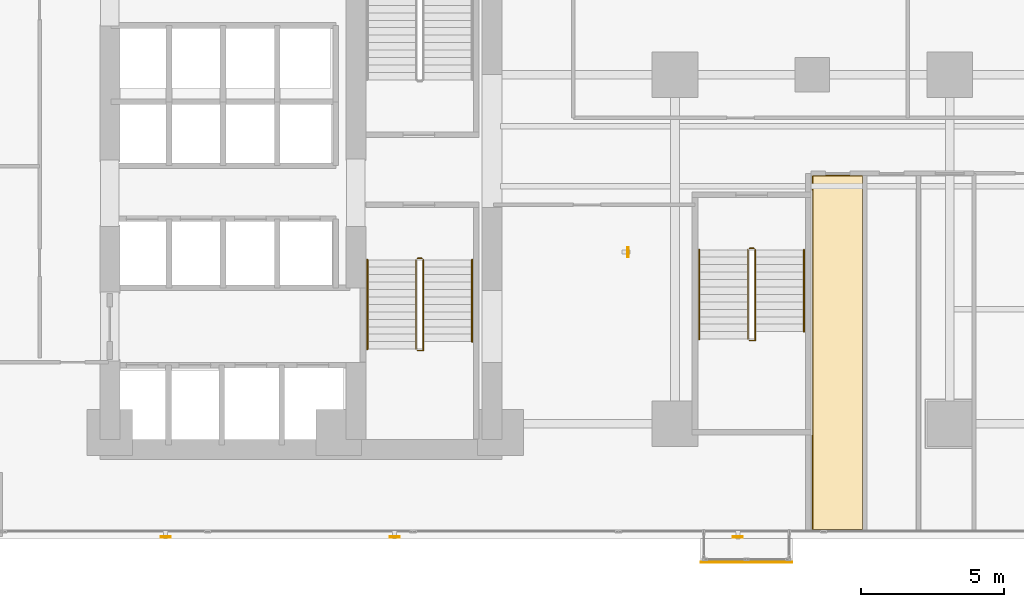
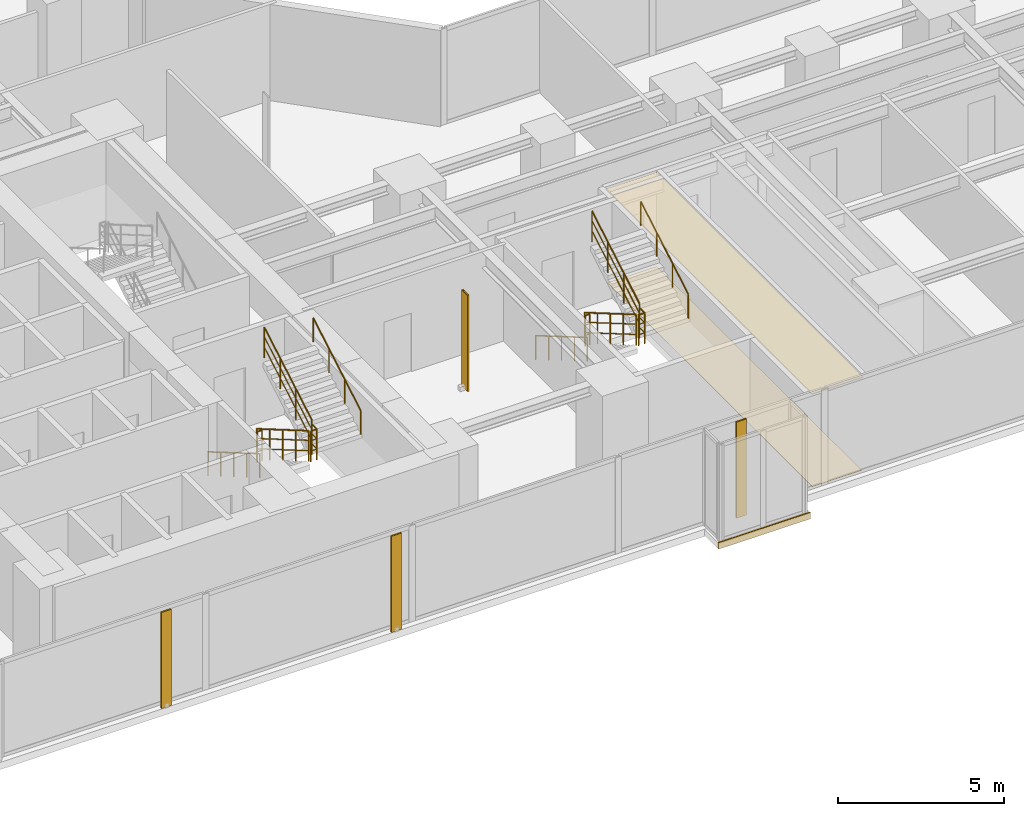
# One storey, part 25 of 27: 12 railings, 4 shading devices, 3 coverings.
"""IFC4 building model written with IfcOpenShell, lengths in metres."""

import ifcopenshell
import ifcopenshell.guid

model = None  # the IFC model being written
_history = None  # IfcOwnerHistory: only IFC2X3 demands one
_inside = {}  # id of a spatial element -> (the spatial element, [elements in it])
_under = {}  # id of a project, library or spatial element -> (it, [spatial elements below it])
_declared = {}  # id of a project -> (the project, [libraries it declares])
_typed = {}  # id of a type object -> (the type object, [elements of that type])
_made_of = {}  # id of a material, layer set ... -> (it, [elements and type objects made of it])


def new_model(schema):
    """Start an empty IFC model of exactly this schema.

    Asked for "IFC4X3", IfcOpenShell would pick the latest addendum, in which some entities
    have other attributes; the version numbers below select the first issue.
    IFC2X3 requires an IfcOwnerHistory on every rooted entity: one is made here for all.
    """
    global model, _history
    if schema == "IFC4X3":
        model = ifcopenshell.file(schema_version=(4, 3, 0, 0))
    else:
        model = ifcopenshell.file(schema=schema)
    _inside.clear()
    _under.clear()
    _declared.clear()
    _typed.clear()
    _made_of.clear()
    _history = None
    if model.schema == "IFC2X3":
        org = make("IfcOrganization", Name="unknown")
        user = make(
            "IfcPersonAndOrganization",
            ThePerson=make("IfcPerson", FamilyName="unknown"),
            TheOrganization=org,
        )
        app = make(
            "IfcApplication",
            ApplicationDeveloper=org,
            Version="unknown",
            ApplicationFullName="unknown",
            ApplicationIdentifier="unknown",
        )
        _history = make(
            "IfcOwnerHistory",
            OwningUser=user,
            OwningApplication=app,
            ChangeAction="ADDED",
            CreationDate=0,
        )
    return model


def make(cls, **values):
    """One entity of the class cls with the attributes given. An attribute that is None is left unset."""
    return model.create_entity(
        cls, **{name: value for name, value in values.items() if value is not None}
    )


def rooted(cls, **values):
    """An entity with a GlobalId (a new one), such as an element, a storey or a relation."""
    return make(cls, GlobalId=ifcopenshell.guid.new(), OwnerHistory=_history, **values)


def si_unit(unit_type, name, prefix=None):
    """IfcSIUnit, for example si_unit("LENGTHUNIT", "METRE", prefix="MILLI")."""
    return make("IfcSIUnit", UnitType=unit_type, Prefix=prefix, Name=name)


def assignment(units):
    """IfcUnitAssignment: the units of a project."""
    return None if units is None else make("IfcUnitAssignment", Units=units)


def point(xyz):
    """IfcCartesianPoint."""
    return None if xyz is None else make("IfcCartesianPoint", Coordinates=xyz)


def direction(xyz):
    """IfcDirection."""
    return None if xyz is None else make("IfcDirection", DirectionRatios=xyz)


def frame(location, z_axis=None, x_axis=None):
    """IfcAxis2Placement3D, a coordinate frame: its origin and axes. An axis left out is left unset."""
    return make(
        "IfcAxis2Placement3D",
        Location=point(location),
        Axis=direction(z_axis),
        RefDirection=direction(x_axis),
    )


def frame_2d(location, x_axis=None):
    """IfcAxis2Placement2D, a coordinate frame in the plane: its origin and x axis."""
    return make(
        "IfcAxis2Placement2D", Location=point(location), RefDirection=direction(x_axis)
    )


def origin():
    """The frame at (0, 0, 0) with its axes left unset."""
    return frame((0.0, 0.0, 0.0))


def origin_2d():
    """The frame at (0, 0) in the plane with its x axis left unset."""
    return frame_2d((0.0, 0.0))


def place(relative_to, where):
    """IfcLocalPlacement: puts the frame where relative to a parent placement (None: the world)."""
    return make(
        "IfcLocalPlacement", PlacementRelTo=relative_to, RelativePlacement=where
    )


def context(
    kind, dimensions, precision=None, world=None, true_north=None, identifier=None
):
    """IfcGeometricRepresentationContext, for example the 3D "Model" context."""
    return make(
        "IfcGeometricRepresentationContext",
        ContextIdentifier=identifier,
        ContextType=kind,
        CoordinateSpaceDimension=dimensions,
        Precision=precision,
        WorldCoordinateSystem=world,
        TrueNorth=true_north,
    )


def subcontext(parent, identifier, kind, view, scale=None):
    """IfcGeometricRepresentationSubContext, for example "Body" below "Model"."""
    return make(
        "IfcGeometricRepresentationSubContext",
        ContextIdentifier=identifier,
        ContextType=kind,
        ParentContext=parent,
        TargetScale=scale,
        TargetView=view,
    )


def project(units=None, contexts=None):
    """IfcProject with its units and contexts."""
    return rooted(
        "IfcProject",
        Name="project",
        RepresentationContexts=contexts,
        UnitsInContext=assignment(units),
    )


def spatial(cls, under=None, at=None, **own):
    """A site, building, storey or space (cls), placed at a placement, below another one or the project."""
    s = rooted(cls, ObjectPlacement=at, **own)
    if under is not None:
        _under.setdefault(under.id(), (under, []))[1].append(s)
    return s


def polyline(points):
    """IfcPolyline through the points."""
    return make("IfcPolyline", Points=[point(p) for p in points])


def profile(cls, at=None, kind="AREA", **sizes):
    """A parametric profile (cls). Its sizes go by their IFC names, for example OverallWidth=200.0."""
    return make(cls, ProfileType=kind, Position=at, **sizes)


def rectangle(**sizes):
    """IfcRectangleProfileDef."""
    return profile("IfcRectangleProfileDef", **sizes)


def hollow_rectangle(**sizes):
    """IfcRectangleHollowProfileDef."""
    return profile("IfcRectangleHollowProfileDef", **sizes)


def circle(**sizes):
    """IfcCircleProfileDef."""
    return profile("IfcCircleProfileDef", **sizes)


def outline(outer, holes=None, kind="AREA"):
    """IfcArbitraryClosedProfileDef: a profile drawn as a closed curve; with holes, ...WithVoids."""
    if holes is None:
        return make("IfcArbitraryClosedProfileDef", ProfileType=kind, OuterCurve=outer)
    return make(
        "IfcArbitraryProfileDefWithVoids",
        ProfileType=kind,
        OuterCurve=outer,
        InnerCurves=holes,
    )


def extrude(swept, where, along, depth):
    """IfcExtrudedAreaSolid: the profile swept, set in the frame where, extruded along a direction by depth."""
    return make(
        "IfcExtrudedAreaSolid",
        SweptArea=swept,
        Position=where,
        ExtrudedDirection=direction(along),
        Depth=depth,
    )


def shape(context_of_items, identifier, shape_type, items):
    """IfcShapeRepresentation: the items that make up one representation, for example the "Body"."""
    return make(
        "IfcShapeRepresentation",
        ContextOfItems=context_of_items,
        RepresentationIdentifier=identifier,
        RepresentationType=shape_type,
        Items=items,
    )


def material(Name=None, Category=None):
    """IfcMaterial."""
    return make("IfcMaterial", Name=Name, Category=Category)


def layer(
    of_material, thickness, ventilated=None, Name=None, Category=None, Priority=None
):
    """IfcMaterialLayer: one layer of a wall or slab, of a material (None: an air gap)."""
    return make(
        "IfcMaterialLayer",
        Material=of_material,
        LayerThickness=thickness,
        IsVentilated=ventilated,
        Name=Name,
        Category=Category,
        Priority=Priority,
    )


def layer_set(layers, Name=None):
    """IfcMaterialLayerSet."""
    return make("IfcMaterialLayerSet", MaterialLayers=layers, LayerSetName=Name)


def material_profile(
    of_material, cross_section, Name=None, Category=None, Priority=None
):
    """IfcMaterialProfile: a cross section and its material."""
    return make(
        "IfcMaterialProfile",
        Name=Name,
        Material=of_material,
        Profile=cross_section,
        Priority=Priority,
        Category=Category,
    )


def profile_set(profiles, Name=None, composite=None):
    """IfcMaterialProfileSet."""
    return make(
        "IfcMaterialProfileSet",
        Name=Name,
        MaterialProfiles=profiles,
        CompositeProfile=composite,
    )


def made_of(thing, what):
    """Note that an element or type object is made of a material, layer set ...; save() writes the relation."""
    if what is not None:
        _made_of.setdefault(what.id(), (what, []))[1].append(thing)
    return thing


def type_object(cls, material=None, **own):
    """A type object (cls), such as IfcWallType, which elements share."""
    return made_of(rooted(cls, **own), material)


def element(
    cls,
    number,
    at=None,
    inside=None,
    cuts=None,
    type_object=None,
    material=None,
    context=None,
    identifier="Body",
    shape_type=None,
    held_by="IfcProductDefinitionShape",
    body=None,
    shapes=None,
    **own,
):
    """One element of the class cls, such as IfcWall. Its Tag is "e" and its number.

    at: its placement. inside: the storey or other place that contains it. cuts: it is an
    opening in that element (IfcRelVoidsElement). A single representation is given by context,
    identifier, shape_type and body (its items); several are given by shapes. held_by: the class
    of the entity that holds the representations. save() writes the other relations.
    """
    e = rooted(cls, Tag="e%d" % number, ObjectPlacement=at, **own)
    if body is not None:
        shapes = [shape(context, identifier, shape_type, body)]
    if shapes is not None:
        e.Representation = make(held_by, Representations=shapes)
    if inside is not None:
        _inside.setdefault(inside.id(), (inside, []))[1].append(e)
    if cuts is not None:
        rooted(
            "IfcRelVoidsElement", RelatingBuildingElement=cuts, RelatedOpeningElement=e
        )
    if type_object is not None:
        _typed.setdefault(type_object.id(), (type_object, []))[1].append(e)
    return made_of(e, material)


def aggregate(whole, parts):
    """IfcRelAggregates: a whole, such as a stair, and the parts it consists of."""
    return rooted("IfcRelAggregates", RelatingObject=whole, RelatedObjects=parts)


def save(model, path):
    """Write the relations noted so far, then the file.

    IfcRelAggregates (storeys below a building ...), IfcRelContainedInSpatialStructure (elements
    in a storey), IfcRelDefinesByType, IfcRelAssociatesMaterial and IfcRelDeclares: one each for
    every whole, place, type object, material and project.
    """
    for whole, parts in _under.values():
        aggregate(whole, parts)
    for where, things in _inside.values():
        rooted(
            "IfcRelContainedInSpatialStructure",
            RelatedElements=things,
            RelatingStructure=where,
        )
    for kind, things in _typed.values():
        rooted("IfcRelDefinesByType", RelatedObjects=things, RelatingType=kind)
    for what, things in _made_of.values():
        rooted("IfcRelAssociatesMaterial", RelatedObjects=things, RelatingMaterial=what)
    for by, libraries in _declared.values():
        rooted("IfcRelDeclares", RelatingContext=by, RelatedDefinitions=libraries)
    model.write(path)


model = new_model("IFC4")

# Units and contexts
model_context = context("Model", 3, precision=1e-05, world=origin(), true_north=direction((0.0, 1.0)))
body_context = subcontext(model_context, "Body", "Model", "MODEL_VIEW")
ifc_project = project(units=[si_unit("LENGTHUNIT", "METRE"), si_unit("AREAUNIT", "SQUARE_METRE"), si_unit("VOLUMEUNIT", "CUBIC_METRE"), si_unit("PLANEANGLEUNIT", "RADIAN"), si_unit("MASSUNIT", "GRAM", prefix="KILO")], contexts=[model_context])

# Site, building, storey
site_placement = place(None, origin())
site = spatial("IfcSite", under=ifc_project, at=site_placement, CompositionType="ELEMENT")
building_placement = place(site_placement, origin())
building = spatial("IfcBuilding", under=site, at=building_placement, Name="Kolvaren Waterfront Exchange", CompositionType="ELEMENT")
storey_placement = place(building_placement, frame((0.0, 0.0, 63.800048828125)))
storey = spatial("IfcBuildingStorey", under=building, at=storey_placement, Name="L16", CompositionType="ELEMENT", Elevation=63.800048828125)

# Coverings
ifc_material_1 = material(Name="Mineral fibre acoustic ceiling tile")
ifc_layer_1 = layer(ifc_material_1, 0.02490234375, Name="Mineral fibre acoustic ceiling tile")
ifc_layer_set_1 = layer_set([ifc_layer_1], Name="Mineral fibre acoustic ceiling tile")
covering_type_1 = type_object("IfcCoveringType", Name="ARC-CEIL-ACOUSTIC-25", PredefinedType="CEILING", material=ifc_layer_set_1)
covering_1_placement = place(storey_placement, frame((0.0, 0.0, 3.425048828125)))
element("IfcCovering", 1, at=covering_1_placement, inside=storey, type_object=covering_type_1, Name="L16 acoustic suspended ceiling 1", PredefinedType="CEILING", context=body_context, shape_type="SweptSolid", body=[
    extrude(outline(polyline([(33.784912109375, 1.465087890625), (33.784912109375, 13.89501953125), (31.9951171875, 13.89501953125), (31.9951171875, 13.35009765625), (32.0, 13.35009765625), (32.0, 4.800048828125), (31.9951171875, 4.800048828125), (31.9951171875, 1.465087890625), (33.784912109375, 1.465087890625)])), origin(), (0.0, 0.0, 1.0), 0.02490234375),
])
ifc_material_2 = material(Name="Anodised bronze fascia aluminium", Category="aluminium")
ifc_layer_2 = layer(ifc_material_2, 0.034912109375, Name="Anodised bronze fascia aluminium")
ifc_layer_set_2 = layer_set([ifc_layer_2], Name="Anodised bronze fascia aluminium")
covering_type_2 = type_object("IfcCoveringType", Name="ARC-CLAD-BRONZE-35", PredefinedType="CLADDING", material=ifc_layer_set_2)
covering_2_placement = place(storey_placement, frame((29.699951171875, 0.3701171875, -0.22021484375), z_axis=(0.0, 0.0, 1.0), x_axis=(1.0, 0.0, 0.0)))
element("IfcCovering", 2, at=covering_2_placement, inside=storey, type_object=covering_type_2, Name="L16 ribbed anodised bronze bay-box fascia", PredefinedType="CLADDING", context=body_context, shape_type="SweptSolid", body=[
    extrude(rectangle(XDim=3.199951171875, YDim=0.034912109375, at=origin_2d()), origin(), (0.0, 0.0, 1.0), 0.239990234375),
])

# Shading devices
ifc_material_3 = material(Name="Anodised bronze aluminium 6063-T6", Category="aluminium")
ifc_material_profile = material_profile(ifc_material_3, hollow_rectangle(XDim=0.06005859375, YDim=0.35009765625, WallThickness=0.0048828125, at=origin_2d()), Name="BRZ-FIN-350x60x5")
ifc_profile_set = profile_set([ifc_material_profile], Name="Anodised bronze aluminium 6063-T6")
shading_device_type = type_object("IfcShadingDeviceType", Name="ARC-FIN-350", PredefinedType="USERDEFINED", material=ifc_profile_set)
for number, where, z_axis, x_axis, name in (
    (3, (9.39990234375, 1.239990234375, 0.0), (0.0, 0.0, 1.0), (0.0, -1.0, 0.0), "L16 anodised bronze solar shading fin FIN-L16-S1"),
    (4, (17.39990234375, 1.239990234375, 0.0), (0.0, 0.0, 1.0), (0.0, -1.0, 0.0), "L16 anodised bronze solar shading fin FIN-L16-S2"),
    (5, (29.39990234375, 1.239990234375, 0.0), (0.0, 0.0, 1.0), (0.0, -1.0, 0.0), "L16 anodised bronze solar shading fin FIN-L16-S3"),
    (6, (25.56005859375, 11.199951171875, 0.0), (0.0, 0.0, 1.0), (1.0, 0.0, 0.0), "L16 anodised bronze solar shading fin FIN-L16-E1"),
):
    element("IfcShadingDevice", number, at=place(storey_placement, frame(where, z_axis=z_axis, x_axis=x_axis)), inside=storey, type_object=shading_device_type, Name=name, ObjectType="SOLAR FIN", PredefinedType="USERDEFINED", context=body_context, shape_type="SweptSolid", body=[
        extrude(hollow_rectangle(XDim=0.06005859375, YDim=0.35009765625, WallThickness=0.0048828125, at=origin_2d()), origin(), (0.0, 0.0, 1.0), 3.5400390625),
    ])

# Covering
ifc_material_4 = material(Name="Slip-resistant porcelain tile")
ifc_layer_3 = layer(ifc_material_4, 0.014892578125, Name="Slip-resistant porcelain tile")
ifc_layer_set_3 = layer_set([ifc_layer_3], Name="Slip-resistant porcelain tile")
covering_type_3 = type_object("IfcCoveringType", Name="ARC-FLR-PORC-15", PredefinedType="FLOORING", material=ifc_layer_set_3)
covering_3_placement = place(storey_placement, origin())
element("IfcCovering", 7, at=covering_3_placement, inside=storey, type_object=covering_type_3, Name="L16 floor finish 1", PredefinedType="FLOORING", context=body_context, shape_type="SweptSolid", body=[
    extrude(outline(polyline([(32.030029296875, 13.860107421875), (32.030029296875, 1.5), (33.75, 1.5), (33.75, 13.860107421875), (32.030029296875, 13.860107421875)])), origin(), (0.0, 0.0, 1.0), 0.014892578125),
])

# Railings
ifc_material_5 = material(Name="Stainless steel 316", Category="steel")
railing_type_1 = type_object("IfcRailingType", Name="ARC-GUARD-STAIR", PredefinedType="GUARDRAIL", material=ifc_material_5)
railing_1_placement = place(storey_placement, frame((18.14990234375, 10.929931640625, 0.15185546875)))
element("IfcRailing", 8, at=railing_1_placement, inside=storey, type_object=railing_type_1, Name="L16 ST1 stair guard 1", PredefinedType="GUARDRAIL", context=body_context, shape_type="SweptSolid", body=[
    extrude(circle(Radius=0.02392578125, at=origin_2d()), frame((0.0, 0.0, 1.1259765625), z_axis=(0.0, -0.86329090724, 0.504706656858), x_axis=(1.0, 0.0, 0.0)), (0.0, 0.0, 1.0), 3.614013671875),
    extrude(circle(Radius=0.01611328125, at=origin_2d()), frame((0.0, 0.0, 0.390869140625), z_axis=(0.0, -0.86329090724, 0.504706656858), x_axis=(1.0, 0.0, 0.0)), (0.0, 0.0, 1.0), 3.614013671875),
    extrude(circle(Radius=0.01611328125, at=origin_2d()), frame((0.0, 0.0, 0.7705078125), z_axis=(0.0, -0.86329090724, 0.504706656858), x_axis=(1.0, 0.0, 0.0)), (0.0, 0.0, 1.0), 3.614013671875),
    extrude(circle(Radius=0.02099609375, at=origin_2d()), origin(), (0.0, 0.0, 1.0), 1.101806640625),
    extrude(circle(Radius=0.02099609375, at=origin_2d()), frame((0.0, -0.780029296875, 0.4560546875)), (0.0, 0.0, 1.0), 1.101806640625),
    extrude(circle(Radius=0.02099609375, at=origin_2d()), frame((0.0, -1.56005859375, 0.912109375)), (0.0, 0.0, 1.0), 1.101806640625),
    extrude(circle(Radius=0.02099609375, at=origin_2d()), frame((0.0, -2.33984375, 1.367919921875)), (0.0, 0.0, 1.0), 1.101806640625),
    extrude(circle(Radius=0.02099609375, at=origin_2d()), frame((0.0, -3.119873046875, 1.823974609375)), (0.0, 0.0, 1.0), 1.101806640625),
])
railing_2_placement = place(storey_placement, frame((18.199951171875, 7.760009765625, 1.975830078125)))
element("IfcRailing", 9, at=railing_2_placement, inside=storey, type_object=railing_type_1, Name="L16 ST1 stair guard 2", PredefinedType="GUARDRAIL", context=body_context, shape_type="SweptSolid", body=[
    extrude(circle(Radius=0.02392578125, at=origin_2d()), frame((0.0, 0.0, 1.1259765625), z_axis=(1.0, 0.0, 0.0), x_axis=(0.0, 1.0, 0.0)), (0.0, 0.0, 1.0), 0.2099609375),
    extrude(circle(Radius=0.01611328125, at=origin_2d()), frame((0.0, 0.0, 0.390869140625), z_axis=(1.0, 0.0, 0.0), x_axis=(0.0, 1.0, 0.0)), (0.0, 0.0, 1.0), 0.2099609375),
    extrude(circle(Radius=0.01611328125, at=origin_2d()), frame((0.0, 0.0, 0.7705078125), z_axis=(1.0, 0.0, 0.0), x_axis=(0.0, 1.0, 0.0)), (0.0, 0.0, 1.0), 0.2099609375),
    extrude(circle(Radius=0.02392578125, at=origin_2d()), frame((0.2099609375, 0.0, 1.1259765625), z_axis=(0.0, 1.0, 0.0), x_axis=(-1.0, 0.0, 0.0)), (0.0, 0.0, 1.0), 0.31005859375),
    extrude(circle(Radius=0.01611328125, at=origin_2d()), frame((0.2099609375, 0.0, 0.390869140625), z_axis=(0.0, 1.0, 0.0), x_axis=(-1.0, 0.0, 0.0)), (0.0, 0.0, 1.0), 0.31005859375),
    extrude(circle(Radius=0.01611328125, at=origin_2d()), frame((0.2099609375, 0.0, 0.7705078125), z_axis=(0.0, 1.0, 0.0), x_axis=(-1.0, 0.0, 0.0)), (0.0, 0.0, 1.0), 0.31005859375),
    extrude(circle(Radius=0.02099609375, at=origin_2d()), origin(), (0.0, 0.0, 1.0), 1.101806640625),
    extrude(circle(Radius=0.02099609375, at=origin_2d()), frame((0.2099609375, 0.0, 0.0)), (0.0, 0.0, 1.0), 1.101806640625),
    extrude(circle(Radius=0.02099609375, at=origin_2d()), frame((0.2099609375, 0.31005859375, 0.0)), (0.0, 0.0, 1.0), 1.101806640625),
])
railing_3_placement = place(storey_placement, frame((18.409912109375, 8.070068359375, 2.1279296875)))
element("IfcRailing", 10, at=railing_3_placement, inside=storey, type_object=railing_type_1, Name="L16 ST1 stair guard 3", PredefinedType="GUARDRAIL", context=body_context, shape_type="SweptSolid", body=[
    extrude(circle(Radius=0.02392578125, at=origin_2d()), frame((0.0, 0.0, 1.1259765625), z_axis=(0.0, 0.863270611444, 0.50474137082), x_axis=(-1.0, 0.0, 0.0)), (0.0, 0.0, 1.0), 3.312744140625),
    extrude(circle(Radius=0.01611328125, at=origin_2d()), frame((0.0, 0.0, 0.390869140625), z_axis=(0.0, 0.863270611444, 0.50474137082), x_axis=(-1.0, 0.0, 0.0)), (0.0, 0.0, 1.0), 3.312744140625),
    extrude(circle(Radius=0.01611328125, at=origin_2d()), frame((0.0, 0.0, 0.7705078125), z_axis=(0.0, 0.863270611444, 0.50474137082), x_axis=(-1.0, 0.0, 0.0)), (0.0, 0.0, 1.0), 3.312744140625),
    extrude(circle(Radius=0.02099609375, at=origin_2d()), origin(), (0.0, 0.0, 1.0), 1.101806640625),
    extrude(circle(Radius=0.02099609375, at=origin_2d()), frame((0.0, 0.953369140625, 0.557373046875)), (0.0, 0.0, 1.0), 1.101806640625),
    extrude(circle(Radius=0.02099609375, at=origin_2d()), frame((0.0, 1.906494140625, 1.11474609375)), (0.0, 0.0, 1.0), 1.101806640625),
    extrude(circle(Radius=0.02099609375, at=origin_2d()), frame((0.0, 2.85986328125, 1.672119140625)), (0.0, 0.0, 1.0), 1.101806640625),
])
railing_4_placement = place(storey_placement, frame((18.199951171875, 10.97998046875, 0.0)))
element("IfcRailing", 11, at=railing_4_placement, inside=storey, type_object=railing_type_1, Name="L16 ST1 stair guard 4", PredefinedType="GUARDRAIL", context=body_context, shape_type="SweptSolid", body=[
    extrude(circle(Radius=0.02392578125, at=origin_2d()), frame((0.0, 0.0, 1.1259765625), z_axis=(1.0, 0.0, 0.0), x_axis=(0.0, 1.0, 0.0)), (0.0, 0.0, 1.0), 0.16015625),
    extrude(circle(Radius=0.01611328125, at=origin_2d()), frame((0.0, 0.0, 0.390869140625), z_axis=(1.0, 0.0, 0.0), x_axis=(0.0, 1.0, 0.0)), (0.0, 0.0, 1.0), 0.16015625),
    extrude(circle(Radius=0.01611328125, at=origin_2d()), frame((0.0, 0.0, 0.7705078125), z_axis=(1.0, 0.0, 0.0), x_axis=(0.0, 1.0, 0.0)), (0.0, 0.0, 1.0), 0.16015625),
    extrude(circle(Radius=0.02099609375, at=origin_2d()), origin(), (0.0, 0.0, 1.0), 1.101806640625),
    extrude(circle(Radius=0.02099609375, at=origin_2d()), frame((0.16015625, 0.0, 0.0)), (0.0, 0.0, 1.0), 1.101806640625),
])
railing_5_placement = place(storey_placement, frame((29.75, 11.280029296875, 0.15185546875)))
element("IfcRailing", 12, at=railing_5_placement, inside=storey, type_object=railing_type_1, Name="L16 ST3 stair guard 1", PredefinedType="GUARDRAIL", context=body_context, shape_type="SweptSolid", body=[
    extrude(circle(Radius=0.02392578125, at=origin_2d()), frame((0.0, 0.0, 1.1259765625), z_axis=(0.0, -0.86330811405, 0.504677223793), x_axis=(1.0, 0.0, 0.0)), (0.0, 0.0, 1.0), 3.6142578125),
    extrude(circle(Radius=0.01611328125, at=origin_2d()), frame((0.0, 0.0, 0.390869140625), z_axis=(0.0, -0.86330811405, 0.504677223793), x_axis=(1.0, 0.0, 0.0)), (0.0, 0.0, 1.0), 3.6142578125),
    extrude(circle(Radius=0.01611328125, at=origin_2d()), frame((0.0, 0.0, 0.7705078125), z_axis=(0.0, -0.86330811405, 0.504677223793), x_axis=(1.0, 0.0, 0.0)), (0.0, 0.0, 1.0), 3.6142578125),
    extrude(circle(Radius=0.02099609375, at=origin_2d()), origin(), (0.0, 0.0, 1.0), 1.101806640625),
    extrude(circle(Radius=0.02099609375, at=origin_2d()), frame((0.0, -0.780029296875, 0.4560546875)), (0.0, 0.0, 1.0), 1.101806640625),
    extrude(circle(Radius=0.02099609375, at=origin_2d()), frame((0.0, -1.56005859375, 0.912109375)), (0.0, 0.0, 1.0), 1.101806640625),
    extrude(circle(Radius=0.02099609375, at=origin_2d()), frame((0.0, -2.340087890625, 1.367919921875)), (0.0, 0.0, 1.0), 1.101806640625),
    extrude(circle(Radius=0.02099609375, at=origin_2d()), frame((0.0, -3.1201171875, 1.823974609375)), (0.0, 0.0, 1.0), 1.101806640625),
])
railing_6_placement = place(storey_placement, frame((29.800048828125, 8.110107421875, 1.975830078125)))
element("IfcRailing", 13, at=railing_6_placement, inside=storey, type_object=railing_type_1, Name="L16 ST3 stair guard 2", PredefinedType="GUARDRAIL", context=body_context, shape_type="SweptSolid", body=[
    extrude(circle(Radius=0.02392578125, at=origin_2d()), frame((0.0, 0.0, 1.1259765625), z_axis=(1.0, 0.0, 0.0), x_axis=(0.0, 1.0, 0.0)), (0.0, 0.0, 1.0), 0.2099609375),
    extrude(circle(Radius=0.01611328125, at=origin_2d()), frame((0.0, 0.0, 0.390869140625), z_axis=(1.0, 0.0, 0.0), x_axis=(0.0, 1.0, 0.0)), (0.0, 0.0, 1.0), 0.2099609375),
    extrude(circle(Radius=0.01611328125, at=origin_2d()), frame((0.0, 0.0, 0.7705078125), z_axis=(1.0, 0.0, 0.0), x_axis=(0.0, 1.0, 0.0)), (0.0, 0.0, 1.0), 0.2099609375),
    extrude(circle(Radius=0.02392578125, at=origin_2d()), frame((0.2099609375, 0.0, 1.1259765625), z_axis=(0.0, 1.0, 0.0), x_axis=(-1.0, 0.0, 0.0)), (0.0, 0.0, 1.0), 0.309814453125),
    extrude(circle(Radius=0.01611328125, at=origin_2d()), frame((0.2099609375, 0.0, 0.390869140625), z_axis=(0.0, 1.0, 0.0), x_axis=(-1.0, 0.0, 0.0)), (0.0, 0.0, 1.0), 0.309814453125),
    extrude(circle(Radius=0.01611328125, at=origin_2d()), frame((0.2099609375, 0.0, 0.7705078125), z_axis=(0.0, 1.0, 0.0), x_axis=(-1.0, 0.0, 0.0)), (0.0, 0.0, 1.0), 0.309814453125),
    extrude(circle(Radius=0.02099609375, at=origin_2d()), origin(), (0.0, 0.0, 1.0), 1.101806640625),
    extrude(circle(Radius=0.02099609375, at=origin_2d()), frame((0.2099609375, 0.0, 0.0)), (0.0, 0.0, 1.0), 1.101806640625),
    extrude(circle(Radius=0.02099609375, at=origin_2d()), frame((0.2099609375, 0.309814453125, 0.0)), (0.0, 0.0, 1.0), 1.101806640625),
])
railing_7_placement = place(storey_placement, frame((30.010009765625, 8.419921875, 2.1279296875)))
element("IfcRailing", 14, at=railing_7_placement, inside=storey, type_object=railing_type_1, Name="L16 ST3 stair guard 3", PredefinedType="GUARDRAIL", context=body_context, shape_type="SweptSolid", body=[
    extrude(circle(Radius=0.02392578125, at=origin_2d()), frame((0.0, 0.0, 1.1259765625), z_axis=(0.0, 0.863289384635, 0.504709261235), x_axis=(-1.0, 0.0, 0.0)), (0.0, 0.0, 1.0), 3.31298828125),
    extrude(circle(Radius=0.01611328125, at=origin_2d()), frame((0.0, 0.0, 0.390869140625), z_axis=(0.0, 0.863289384635, 0.504709261235), x_axis=(-1.0, 0.0, 0.0)), (0.0, 0.0, 1.0), 3.31298828125),
    extrude(circle(Radius=0.01611328125, at=origin_2d()), frame((0.0, 0.0, 0.7705078125), z_axis=(0.0, 0.863289384635, 0.504709261235), x_axis=(-1.0, 0.0, 0.0)), (0.0, 0.0, 1.0), 3.31298828125),
    extrude(circle(Radius=0.02099609375, at=origin_2d()), origin(), (0.0, 0.0, 1.0), 1.101806640625),
    extrude(circle(Radius=0.02099609375, at=origin_2d()), frame((0.0, 0.953369140625, 0.557373046875)), (0.0, 0.0, 1.0), 1.101806640625),
    extrude(circle(Radius=0.02099609375, at=origin_2d()), frame((0.0, 1.90673828125, 1.11474609375)), (0.0, 0.0, 1.0), 1.101806640625),
    extrude(circle(Radius=0.02099609375, at=origin_2d()), frame((0.0, 2.860107421875, 1.672119140625)), (0.0, 0.0, 1.0), 1.101806640625),
])
railing_8_placement = place(storey_placement, frame((29.800048828125, 11.330078125, 0.0)))
element("IfcRailing", 15, at=railing_8_placement, inside=storey, type_object=railing_type_1, Name="L16 ST3 stair guard 4", PredefinedType="GUARDRAIL", context=body_context, shape_type="SweptSolid", body=[
    extrude(circle(Radius=0.02392578125, at=origin_2d()), frame((0.0, 0.0, 1.1259765625), z_axis=(1.0, 0.0, 0.0), x_axis=(0.0, 1.0, 0.0)), (0.0, 0.0, 1.0), 0.159912109375),
    extrude(circle(Radius=0.01611328125, at=origin_2d()), frame((0.0, 0.0, 0.390869140625), z_axis=(1.0, 0.0, 0.0), x_axis=(0.0, 1.0, 0.0)), (0.0, 0.0, 1.0), 0.159912109375),
    extrude(circle(Radius=0.01611328125, at=origin_2d()), frame((0.0, 0.0, 0.7705078125), z_axis=(1.0, 0.0, 0.0), x_axis=(0.0, 1.0, 0.0)), (0.0, 0.0, 1.0), 0.159912109375),
    extrude(circle(Radius=0.02099609375, at=origin_2d()), origin(), (0.0, 0.0, 1.0), 1.101806640625),
    extrude(circle(Radius=0.02099609375, at=origin_2d()), frame((0.159912109375, 0.0, 0.0)), (0.0, 0.0, 1.0), 1.101806640625),
])
railing_type_2 = type_object("IfcRailingType", Name="ARC-HANDRAIL-900", PredefinedType="HANDRAIL", material=ifc_material_5)
railing_9_placement = place(storey_placement, frame((16.449951171875, 10.929931640625, 0.15185546875)))
element("IfcRailing", 16, at=railing_9_placement, inside=storey, type_object=railing_type_2, Name="L16 ST1 stair handrail 1", PredefinedType="HANDRAIL", context=body_context, shape_type="SweptSolid", body=[
    extrude(circle(Radius=0.02392578125, at=origin_2d()), frame((0.0, 0.0, 0.8759765625), z_axis=(0.0, -0.86329090724, 0.504706656858), x_axis=(1.0, 0.0, 0.0)), (0.0, 0.0, 1.0), 3.614013671875),
    extrude(circle(Radius=0.02099609375, at=origin_2d()), origin(), (0.0, 0.0, 1.0), 0.851806640625),
    extrude(circle(Radius=0.02099609375, at=origin_2d()), frame((0.0, -0.780029296875, 0.4560546875)), (0.0, 0.0, 1.0), 0.851806640625),
    extrude(circle(Radius=0.02099609375, at=origin_2d()), frame((0.0, -1.56005859375, 0.912109375)), (0.0, 0.0, 1.0), 0.851806640625),
    extrude(circle(Radius=0.02099609375, at=origin_2d()), frame((0.0, -2.33984375, 1.367919921875)), (0.0, 0.0, 1.0), 0.851806640625),
    extrude(circle(Radius=0.02099609375, at=origin_2d()), frame((0.0, -3.119873046875, 1.823974609375)), (0.0, 0.0, 1.0), 0.851806640625),
])
railing_10_placement = place(storey_placement, frame((20.110107421875, 8.070068359375, 2.1279296875)))
element("IfcRailing", 17, at=railing_10_placement, inside=storey, type_object=railing_type_2, Name="L16 ST1 stair handrail 2", PredefinedType="HANDRAIL", context=body_context, shape_type="SweptSolid", body=[
    extrude(circle(Radius=0.02392578125, at=origin_2d()), frame((0.0, 0.0, 0.8759765625), z_axis=(0.0, 0.863270611444, 0.50474137082), x_axis=(-1.0, 0.0, 0.0)), (0.0, 0.0, 1.0), 3.312744140625),
    extrude(circle(Radius=0.02099609375, at=origin_2d()), origin(), (0.0, 0.0, 1.0), 0.851806640625),
    extrude(circle(Radius=0.02099609375, at=origin_2d()), frame((0.0, 0.953369140625, 0.557373046875)), (0.0, 0.0, 1.0), 0.851806640625),
    extrude(circle(Radius=0.02099609375, at=origin_2d()), frame((0.0, 1.906494140625, 1.11474609375)), (0.0, 0.0, 1.0), 0.851806640625),
    extrude(circle(Radius=0.02099609375, at=origin_2d()), frame((0.0, 2.85986328125, 1.672119140625)), (0.0, 0.0, 1.0), 0.851806640625),
])
railing_11_placement = place(storey_placement, frame((28.050048828125, 11.280029296875, 0.15185546875)))
element("IfcRailing", 18, at=railing_11_placement, inside=storey, type_object=railing_type_2, Name="L16 ST3 stair handrail 1", PredefinedType="HANDRAIL", context=body_context, shape_type="SweptSolid", body=[
    extrude(circle(Radius=0.02392578125, at=origin_2d()), frame((0.0, 0.0, 0.8759765625), z_axis=(0.0, -0.86330811405, 0.504677223793), x_axis=(1.0, 0.0, 0.0)), (0.0, 0.0, 1.0), 3.6142578125),
    extrude(circle(Radius=0.02099609375, at=origin_2d()), origin(), (0.0, 0.0, 1.0), 0.851806640625),
    extrude(circle(Radius=0.02099609375, at=origin_2d()), frame((0.0, -0.780029296875, 0.4560546875)), (0.0, 0.0, 1.0), 0.851806640625),
    extrude(circle(Radius=0.02099609375, at=origin_2d()), frame((0.0, -1.56005859375, 0.912109375)), (0.0, 0.0, 1.0), 0.851806640625),
    extrude(circle(Radius=0.02099609375, at=origin_2d()), frame((0.0, -2.340087890625, 1.367919921875)), (0.0, 0.0, 1.0), 0.851806640625),
    extrude(circle(Radius=0.02099609375, at=origin_2d()), frame((0.0, -3.1201171875, 1.823974609375)), (0.0, 0.0, 1.0), 0.851806640625),
])
railing_12_placement = place(storey_placement, frame((31.7099609375, 8.419921875, 2.1279296875)))
element("IfcRailing", 19, at=railing_12_placement, inside=storey, type_object=railing_type_2, Name="L16 ST3 stair handrail 2", PredefinedType="HANDRAIL", context=body_context, shape_type="SweptSolid", body=[
    extrude(circle(Radius=0.02392578125, at=origin_2d()), frame((0.0, 0.0, 0.8759765625), z_axis=(0.0, 0.863289384635, 0.504709261235), x_axis=(-1.0, 0.0, 0.0)), (0.0, 0.0, 1.0), 3.31298828125),
    extrude(circle(Radius=0.02099609375, at=origin_2d()), origin(), (0.0, 0.0, 1.0), 0.851806640625),
    extrude(circle(Radius=0.02099609375, at=origin_2d()), frame((0.0, 0.953369140625, 0.557373046875)), (0.0, 0.0, 1.0), 0.851806640625),
    extrude(circle(Radius=0.02099609375, at=origin_2d()), frame((0.0, 1.90673828125, 1.11474609375)), (0.0, 0.0, 1.0), 0.851806640625),
    extrude(circle(Radius=0.02099609375, at=origin_2d()), frame((0.0, 2.860107421875, 1.672119140625)), (0.0, 0.0, 1.0), 0.851806640625),
])

save(model, "model.ifc")
